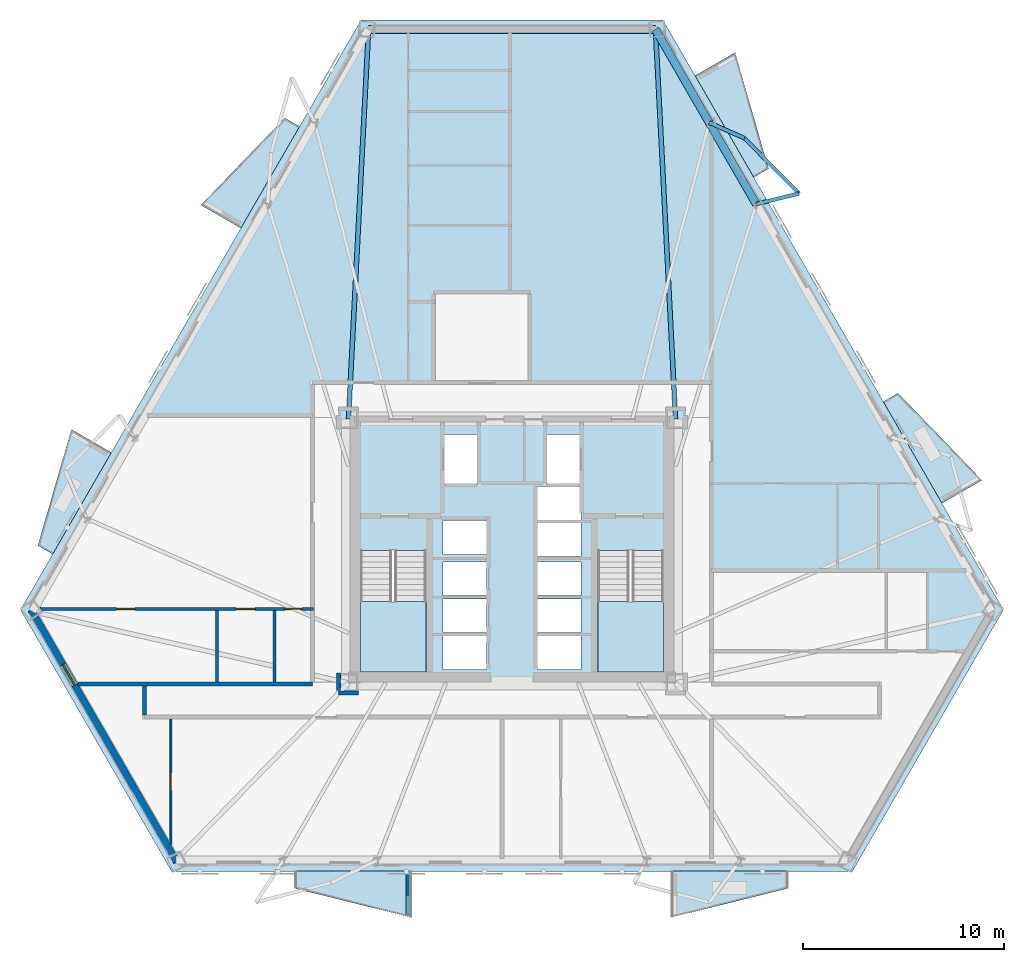
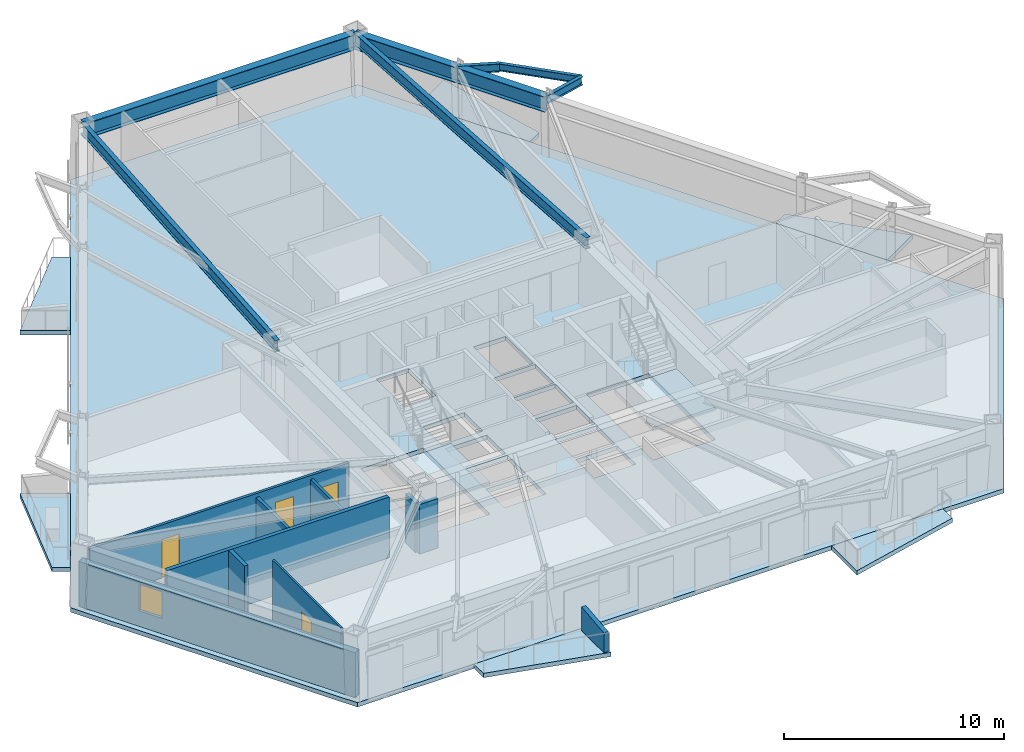
# One storey, part 2 of 10: 10 walls, 9 slabs, 8 beams, 4 doors, 1 window, 5 openings, 2 elements without a shape of their own.
"""IFC4 building model written with IfcOpenShell, lengths in metres."""

from ifc_helpers import new_model, si_unit, direction, frame, frame_2d, origin, origin_2d, place, context, subcontext, project, spatial, polyline, rectangle, i_section, outline, extrude, material, layer, layer_set, material_profile, profile_set, type_object, element, fill, aggregate, save


model = new_model("IFC4")

# Units and contexts
model_context = context("Model", 3, precision=1e-05, world=origin(), true_north=direction((0.0, 1.0)))
body_context = subcontext(model_context, "Body", "Model", "MODEL_VIEW")
ifc_project = project(units=[si_unit("LENGTHUNIT", "METRE"), si_unit("AREAUNIT", "SQUARE_METRE"), si_unit("VOLUMEUNIT", "CUBIC_METRE"), si_unit("PLANEANGLEUNIT", "RADIAN"), si_unit("MASSUNIT", "GRAM", prefix="KILO")], contexts=[model_context])

# Site, building, storey
site_placement = place(None, origin())
site = spatial("IfcSite", under=ifc_project, at=site_placement, CompositionType="ELEMENT")
building_placement = place(site_placement, origin())
building = spatial("IfcBuilding", under=site, at=building_placement, Name="Oramaril Tower", CompositionType="ELEMENT")
storey_placement = place(building_placement, frame((0.0, 0.0, 52.5)))
storey = spatial("IfcBuildingStorey", under=building, at=storey_placement, Name="L13", CompositionType="ELEMENT", Elevation=52.5)

# Beams
ifc_material_1 = material(Name="Steel ASTM A572 Gr 50", Category="steel")
ifc_material_profile_1 = material_profile(ifc_material_1, i_section(OverallWidth=0.19091796875, OverallDepth=0.45703125, WebThickness=0.009033203125, FlangeThickness=0.014404296875, at=origin_2d()), Name="W18X50")
ifc_profile_set_1 = profile_set([ifc_material_profile_1], Name="Steel ASTM A572 Gr 50")
beam_type_1 = type_object("IfcBeamType", Name="BT-BB1", PredefinedType="BEAM", material=ifc_profile_set_1)
beam_1_placement = place(storey_placement, frame((49.673095703125, 34.86328125, 3.131591796875), z_axis=(0.970709325558, 0.240256956767, 0.0), x_axis=(-0.240256956767, 0.970709325558, 0.0)))
element("IfcBeam", 1, at=beam_1_placement, inside=storey, type_object=beam_type_1, Name="L13 Balcony Column-Framed Cantilever 04.1", PredefinedType="BEAM", context=body_context, shape_type="SweptSolid", body=[
    extrude(i_section(OverallWidth=0.19091796875, OverallDepth=0.45703125, WebThickness=0.009033203125, FlangeThickness=0.014404296875, at=origin_2d()), origin(), (0.0, 0.0, 1.0), 2.19384765625),
])
beam_2_placement = place(storey_placement, frame((47.32861328125, 38.924072265625, 3.131591796875), z_axis=(0.913433535966, -0.406987930255, 0.0), x_axis=(0.406987930255, 0.913433535966, 0.0)))
element("IfcBeam", 2, at=beam_2_placement, inside=storey, type_object=beam_type_1, Name="L13 Balcony Column-Framed Cantilever 04.2", PredefinedType="BEAM", context=body_context, shape_type="SweptSolid", body=[
    extrude(i_section(OverallWidth=0.19091796875, OverallDepth=0.45703125, WebThickness=0.009033203125, FlangeThickness=0.014404296875, at=origin_2d()), origin(), (0.0, 0.0, 1.0), 1.919677734375),
])
ifc_material_2 = material(Name="Steel ASTM A572 Gr 50", Category="steel")
ifc_material_profile_2 = material_profile(ifc_material_2, i_section(OverallWidth=0.22900390625, OverallDepth=0.612060546875, WebThickness=0.011962890625, FlangeThickness=0.01953125, at=origin_2d()), Name="W24X84")
ifc_profile_set_2 = profile_set([ifc_material_profile_2], Name="Steel ASTM A572 Gr 50")
beam_type_2 = type_object("IfcBeamType", Name="BT-FB1", PredefinedType="BEAM", material=ifc_profile_set_2)
for number, where, z_axis, x_axis, name in (
    (3, (45.64990234375, 24.14990234375, 3.053955078125), (-0.051487731797, 0.998673627105, 0.0), (-0.998673627105, -0.051487731797, 0.0), "L13 Radial Primary Beam RB-05"),
    (4, (29.35009765625, 24.14990234375, 3.053955078125), (0.051487731797, 0.998673627105, 0.0), (-0.998673627105, 0.051487731797, 0.0), "L13 Radial Primary Beam RB-06"),
):
    element("IfcBeam", number, at=place(storey_placement, frame(where, z_axis=z_axis, x_axis=x_axis)), inside=storey, type_object=beam_type_2, Name=name, PredefinedType="BEAM", context=body_context, shape_type="SweptSolid", body=[
        extrude(i_section(OverallWidth=0.22900390625, OverallDepth=0.612060546875, WebThickness=0.011962890625, FlangeThickness=0.01953125, at=origin_2d()), origin(), (0.0, 0.0, 1.0), 19.441162109375),
    ])
ifc_material_3 = material(Name="Steel ASTM A572 Gr 50", Category="steel")
ifc_material_profile_3 = material_profile(ifc_material_3, i_section(OverallWidth=0.177978515625, OverallDepth=0.404052734375, WebThickness=0.007568359375, FlangeThickness=0.010986328125, at=origin_2d()), Name="W16X36")
ifc_profile_set_3 = profile_set([ifc_material_profile_3], Name="Steel ASTM A572 Gr 50")
beam_type_3 = type_object("IfcBeamType", Name="BT-SB1", PredefinedType="BEAM", material=ifc_profile_set_3)
beam_3_placement = place(storey_placement, frame((51.802734375, 35.390380859375, 3.157958984375), z_axis=(-0.702994511648, 0.71119527318, 0.0), x_axis=(-0.71119527318, -0.702994511648, 0.0)))
element("IfcBeam", 5, at=beam_3_placement, inside=storey, type_object=beam_type_3, Name="L13 Balcony Edge Tie Beam 04", PredefinedType="BEAM", context=body_context, shape_type="SweptSolid", body=[
    extrude(i_section(OverallWidth=0.177978515625, OverallDepth=0.404052734375, WebThickness=0.007568359375, FlangeThickness=0.010986328125, at=origin_2d()), origin(), (0.0, 0.0, 1.0), 3.8701171875),
])
ifc_material_4 = material(Name="Steel ASTM A572 Gr 50", Category="steel")
ifc_material_profile_4 = material_profile(ifc_material_4, i_section(OverallWidth=0.40087890625, OverallDepth=0.85595703125, WebThickness=0.018310546875, FlangeThickness=0.029296875, at=origin_2d()), Name="W33X201")
ifc_profile_set_4 = profile_set([ifc_material_profile_4], Name="Steel ASTM A572 Gr 50")
beam_type_4 = type_object("IfcBeamType", Name="BT-SP1", PredefinedType="SPANDREL", material=ifc_profile_set_4)
beam_4_placement = place(storey_placement, frame((49.673095703125, 34.86328125, 2.931884765625), z_axis=(-0.49999738257, 0.866026914953, 0.0), x_axis=(-0.866026914953, -0.49999738257, 0.0)))
element("IfcBeam", 6, at=beam_4_placement, inside=storey, type_object=beam_type_4, Name="L13 Perimeter Spandrel 11", PredefinedType="SPANDREL", context=body_context, shape_type="SweptSolid", body=[
    extrude(i_section(OverallWidth=0.40087890625, OverallDepth=0.85595703125, WebThickness=0.018310546875, FlangeThickness=0.029296875, at=origin_2d()), origin(), (0.0, 0.0, 1.0), 4.68896484375),
])
beam_5_placement = place(storey_placement, frame((47.32861328125, 38.924072265625, 2.931884765625), z_axis=(-0.500019522183, 0.866014132353, 0.0), x_axis=(-0.866014132353, -0.500019522183, 0.0)))
element("IfcBeam", 7, at=beam_5_placement, inside=storey, type_object=beam_type_4, Name="L13 Perimeter Spandrel 12", PredefinedType="SPANDREL", context=body_context, shape_type="SweptSolid", body=[
    extrude(i_section(OverallWidth=0.40087890625, OverallDepth=0.85595703125, WebThickness=0.018310546875, FlangeThickness=0.029296875, at=origin_2d()), origin(), (0.0, 0.0, 1.0), 5.359130859375),
])
beam_6_placement = place(storey_placement, frame((44.64892578125, 43.565185546875, 2.931884765625), z_axis=(-1.0, 0.0, 0.0), x_axis=(0.0, -1.0, 0.0)))
element("IfcBeam", 8, at=beam_6_placement, inside=storey, type_object=beam_type_4, Name="L13 Perimeter Spandrel 13", PredefinedType="SPANDREL", context=body_context, shape_type="SweptSolid", body=[
    extrude(i_section(OverallWidth=0.40087890625, OverallDepth=0.85595703125, WebThickness=0.018310546875, FlangeThickness=0.029296875, at=origin_2d()), origin(), (0.0, 0.0, 1.0), 14.2978515625),
])

# Slabs
ifc_material_5 = material(Name="Concrete C40/50", Category="concrete")
ifc_layer_1 = layer(ifc_material_5, 0.199951171875)
ifc_layer_set_1 = layer_set([ifc_layer_1], Name="SLT-BAL20")
slab_type_1 = type_object("IfcSlabType", Name="SLT-BAL20", PredefinedType="FLOOR", material=ifc_layer_set_1)
slab_1_placement = place(storey_placement, frame((0.0, 0.0, -0.239990234375)))
element("IfcSlab", 9, at=slab_1_placement, inside=storey, type_object=slab_type_1, Name="L13 Cantilevered Balcony Slab L13-BAL-S1", PredefinedType="FLOOR", context=body_context, shape_type="SweptSolid", body=[
    extrude(outline(polyline([(26.658447265625, 1.61962890625), (32.508544921875, 1.61962890625), (32.508544921875, -0.682373046875), (26.658447265625, 0.767578125), (26.658447265625, 1.61962890625)])), origin(), (0.0, 0.0, 1.0), 0.239990234375),
])
slab_2_placement = place(storey_placement, frame((0.0, 0.0, -0.239990234375)))
element("IfcSlab", 10, at=slab_2_placement, inside=storey, type_object=slab_type_1, Name="L13 Cantilevered Balcony Slab L13-BAL-NE2", PredefinedType="FLOOR", context=body_context, shape_type="SweptSolid", body=[
    extrude(outline(polyline([(49.546142578125, 36.196044921875), (46.62109375, 41.26220703125), (48.61474609375, 42.4130859375), (50.283935546875, 36.6220703125), (49.546142578125, 36.196044921875)])), origin(), (0.0, 0.0, 1.0), 0.239990234375),
])
slab_3_placement = place(storey_placement, frame((0.0, 0.0, -0.239990234375)))
element("IfcSlab", 11, at=slab_3_placement, inside=storey, type_object=slab_type_1, Name="L13 Cantilevered Balcony Slab L13-BAL-NW1", PredefinedType="FLOOR", context=body_context, shape_type="SweptSolid", body=[
    extrude(outline(polyline([(26.916259765625, 38.72900390625), (23.9912109375, 33.662841796875), (21.997802734375, 34.813720703125), (26.178466796875, 39.155029296875), (26.916259765625, 38.72900390625)])), origin(), (0.0, 0.0, 1.0), 0.239990234375),
])
ifc_material_6 = material(Name="Concrete C50/60", Category="concrete")
ifc_layer_2 = layer(ifc_material_6, 0.239990234375)
ifc_layer_set_2 = layer_set([ifc_layer_2], Name="SLT-FLR24")
slab_type_2 = type_object("IfcSlabType", Name="SLT-FLR24", PredefinedType="FLOOR", material=ifc_layer_set_2)
slab_4_placement = place(storey_placement, frame((0.0, 0.0, -0.239990234375)))
element("IfcSlab", 12, at=slab_4_placement, inside=storey, type_object=slab_type_2, Name="L13 Structural Floor Slab", PredefinedType="FLOOR", context=body_context, shape_type="SweptSolid", body=[
    extrude(outline(polyline([(13.010498046875, 14.647705078125), (20.533447265625, 1.61767578125), (54.466552734375, 1.61767578125), (61.989501953125, 14.647705078125), (45.02294921875, 44.034423828125), (29.97705078125, 44.034423828125), (13.010498046875, 14.647705078125)]), holes=[polyline([(29.949951171875, 17.58935546875), (29.949951171875, 11.550048828125), (33.219970703125, 11.550048828125), (33.219970703125, 17.58935546875), (29.949951171875, 17.58935546875)]), polyline([(41.780029296875, 17.58935546875), (41.780029296875, 11.550048828125), (45.050048828125, 11.550048828125), (45.050048828125, 17.58935546875), (41.780029296875, 17.58935546875)]), polyline([(34.110107421875, 20.909912109375), (35.7900390625, 20.909912109375), (35.7900390625, 23.389892578125), (34.110107421875, 23.389892578125), (34.110107421875, 20.909912109375)]), polyline([(39.2099609375, 20.909912109375), (40.889892578125, 20.909912109375), (40.889892578125, 23.389892578125), (39.2099609375, 23.389892578125), (39.2099609375, 20.909912109375)]), polyline([(34.06005859375, 11.659912109375), (36.239990234375, 11.659912109375), (36.239990234375, 13.340087890625), (34.06005859375, 13.340087890625), (34.06005859375, 11.659912109375)]), polyline([(34.06005859375, 13.510009765625), (36.239990234375, 13.510009765625), (36.239990234375, 15.18994140625), (34.06005859375, 15.18994140625), (34.06005859375, 13.510009765625)]), polyline([(34.06005859375, 15.360107421875), (36.239990234375, 15.360107421875), (36.239990234375, 17.0400390625), (34.06005859375, 17.0400390625), (34.06005859375, 15.360107421875)]), polyline([(38.760009765625, 11.659912109375), (40.93994140625, 11.659912109375), (40.93994140625, 13.340087890625), (38.760009765625, 13.340087890625), (38.760009765625, 11.659912109375)]), polyline([(38.760009765625, 13.510009765625), (40.93994140625, 13.510009765625), (40.93994140625, 15.18994140625), (38.760009765625, 15.18994140625), (38.760009765625, 13.510009765625)]), polyline([(38.760009765625, 15.360107421875), (40.93994140625, 15.360107421875), (40.93994140625, 17.0400390625), (38.760009765625, 17.0400390625), (38.760009765625, 15.360107421875)]), polyline([(34.06005859375, 17.409912109375), (36.239990234375, 17.409912109375), (36.239990234375, 19.090087890625), (34.06005859375, 19.090087890625), (34.06005859375, 17.409912109375)]), polyline([(38.760009765625, 17.31005859375), (40.93994140625, 17.31005859375), (40.93994140625, 18.989990234375), (38.760009765625, 18.989990234375), (38.760009765625, 17.31005859375)]), polyline([(38.760009765625, 19.110107421875), (40.93994140625, 19.110107421875), (40.93994140625, 20.7900390625), (38.760009765625, 20.7900390625), (38.760009765625, 19.110107421875)])]), origin(), (0.0, 0.0, 1.0), 0.239990234375),
])

# Stair, slab
ifc_material_7 = material(Name="Concrete C50/60", Category="concrete")
stair_type = type_object("IfcStairType", Name="STT-DG-3600", PredefinedType="HALF_TURN_STAIR", material=ifc_material_7)
stair_1_placement = place(storey_placement, origin())
stair_1 = element("IfcStair", 13, at=stair_1_placement, inside=storey, type_object=stair_type, Name="L13 Protected PFP Exit Stair ST-1", PredefinedType="HALF_TURN_STAIR")
ifc_material_8 = material(Name="Concrete C50/60", Category="concrete")
ifc_layer_3 = layer(ifc_material_8, 0.199951171875)
ifc_layer_set_3 = layer_set([ifc_layer_3], Name="SLT-LND20")
slab_type_3 = type_object("IfcSlabType", Name="SLT-LND20", PredefinedType="LANDING", material=ifc_layer_set_3)
slab_5_placement = place(storey_placement, frame((0.0, 0.0, 1.60009765625)))
slab_5 = element("IfcSlab", 14, at=slab_5_placement, type_object=slab_type_3, Name="ST-1 landing 1", PredefinedType="LANDING", context=body_context, shape_type="SweptSolid", body=[
    extrude(outline(polyline([(29.949951171875, 15.070068359375), (29.949951171875, 11.550048828125), (33.219970703125, 11.550048828125), (33.219970703125, 15.070068359375), (29.949951171875, 15.070068359375)])), origin(), (0.0, 0.0, 1.0), 0.199951171875),
])
aggregate(stair_1, [slab_5])

stair_2_placement = place(storey_placement, origin())
stair_2 = element("IfcStair", 15, at=stair_2_placement, inside=storey, type_object=stair_type, Name="L13 Protected PFP Exit Stair ST-2", PredefinedType="HALF_TURN_STAIR")
slab_6_placement = place(storey_placement, frame((0.0, 0.0, 1.60009765625)))
slab_6 = element("IfcSlab", 16, at=slab_6_placement, type_object=slab_type_3, Name="ST-2 landing 1", PredefinedType="LANDING", context=body_context, shape_type="SweptSolid", body=[
    extrude(outline(polyline([(41.780029296875, 15.070068359375), (41.780029296875, 11.550048828125), (45.050048828125, 11.550048828125), (45.050048828125, 15.070068359375), (41.780029296875, 15.070068359375)])), origin(), (0.0, 0.0, 1.0), 0.199951171875),
])
aggregate(stair_2, [slab_6])

# Slabs
ifc_material_9 = material(Name="Concrete C40/50", Category="concrete")
ifc_layer_4 = layer(ifc_material_9, 0.18994140625)
ifc_layer_set_4 = layer_set([ifc_layer_4], Name="SLT-PLN19")
slab_type_4 = type_object("IfcSlabType", Name="SLT-PLN19", PredefinedType="FLOOR", material=ifc_layer_set_4)
slab_7_placement = place(storey_placement, frame((0.0, 0.0, -0.239990234375)))
element("IfcSlab", 17, at=slab_7_placement, inside=storey, type_object=slab_type_4, Name="L13 Tree Planter Balcony Slab L13-BAL-S2", PredefinedType="FLOOR", context=body_context, shape_type="SweptSolid", body=[
    extrude(outline(polyline([(45.41650390625, 1.61962890625), (51.2666015625, 1.61962890625), (51.2666015625, 0.767578125), (45.41650390625, -0.682373046875), (45.41650390625, 1.61962890625)])), origin(), (0.0, 0.0, 1.0), 0.239990234375),
])
slab_8_placement = place(storey_placement, frame((0.0, 0.0, -0.239990234375)))
element("IfcSlab", 18, at=slab_8_placement, inside=storey, type_object=slab_type_4, Name="L13 Tree Planter Balcony Slab L13-BAL-NE1", PredefinedType="FLOOR", context=body_context, shape_type="SweptSolid", body=[
    extrude(outline(polyline([(58.92529296875, 19.951171875), (56.000244140625, 25.017333984375), (56.738037109375, 25.443359375), (60.918701171875, 21.10205078125), (58.92529296875, 19.951171875)])), origin(), (0.0, 0.0, 1.0), 0.239990234375),
])
slab_9_placement = place(storey_placement, frame((0.0, 0.0, -0.239990234375)))
element("IfcSlab", 19, at=slab_9_placement, inside=storey, type_object=slab_type_4, Name="L13 Tree Planter Balcony Slab L13-BAL-NW2", PredefinedType="FLOOR", context=body_context, shape_type="SweptSolid", body=[
    extrude(outline(polyline([(17.537353515625, 22.484130859375), (14.6123046875, 17.41796875), (13.87451171875, 17.843994140625), (15.543701171875, 23.63525390625), (17.537353515625, 22.484130859375)])), origin(), (0.0, 0.0, 1.0), 0.239990234375),
])

# Wall, opening, window
ifc_material_10 = material(Name="Warm Cream Limestone", Category="masonry")
ifc_layer_5 = layer(ifc_material_10, 0.340087890625)
ifc_layer_set_5 = layer_set([ifc_layer_5], Name="WT-EXT34")
wall_type_1 = type_object("IfcWallType", Name="WT-EXT34", PredefinedType="SOLIDWALL", material=ifc_layer_set_5)
wall_1_placement = place(storey_placement, frame((13.541748046875, 14.647705078125, 0.0), z_axis=(0.0, 0.0, 1.0), x_axis=(0.49999957979, -0.866025646392, 0.0)))
wall_1 = element("IfcWall", 20, at=wall_1_placement, inside=storey, type_object=wall_type_1, Name="L13 Tower Limestone Facade Wall 1M", PredefinedType="SOLIDWALL", context=body_context, shape_type="SweptSolid", body=[
    extrude(rectangle(XDim=14.5146484375, YDim=0.340087890625, at=frame_2d((7.25732421875, 0.0))), origin(), (0.0, 0.0, 1.0), 2.493896484375),
])
opening_1_placement = place(wall_1_placement, frame((3.14990234375, 0.0, 0.85009765625)))
opening_1 = element("IfcOpeningElement", 21, at=opening_1_placement, cuts=wall_1, Name="Opening WN-09", PredefinedType="OPENING", context=body_context, shape_type="SweptSolid", body=[
    extrude(rectangle(XDim=1.199951171875, YDim=1.47998046875, at=frame_2d((0.60009765625, 0.739990234375))), frame((0.0, 0.169921875, 0.0), z_axis=(0.0, -1.0, 0.0), x_axis=(1.0, 0.0, 0.0)), (0.0, 0.0, 1.0), 0.340087890625),
])
ifc_material_11 = material(Name="Coastal Low-E Insulated Glass", Category="glass")
window_type = type_object("IfcWindowType", Name="WNT-09", PartitioningType="SINGLE_PANEL", PredefinedType="WINDOW", material=ifc_material_11)
window_placement = place(opening_1_placement, origin())
window = element("IfcWindow", 22, at=window_placement, inside=storey, type_object=window_type, Name="L13 Apartment Bedroom Window WN-09", OverallHeight=1.47998046875, OverallWidth=1.199951171875, PartitioningType="SINGLE_PANEL", PredefinedType="WINDOW", context=body_context, shape_type="SweptSolid", body=[
    extrude(rectangle(XDim=1.199951171875, YDim=1.47998046875, at=frame_2d((0.60009765625, 0.739990234375))), frame((0.0, 0.030029296875, 0.0), z_axis=(0.0, -1.0, 0.0), x_axis=(1.0, 0.0, 0.0)), (0.0, 0.0, 1.0), 0.06005859375),
])
fill(opening_1, window)

# Wall
ifc_material_12 = material(Name="Concrete C40/50", Category="concrete")
ifc_layer_6 = layer(ifc_material_12, 0.22998046875)
ifc_layer_set_6 = layer_set([ifc_layer_6], Name="WT-PRP23")
wall_type_2 = type_object("IfcWallType", Name="WT-PRP23", PredefinedType="PARAPET", material=ifc_layer_set_6)
wall_2_placement = place(storey_placement, frame((32.32861328125, 1.479736328125, 0.0), z_axis=(0.0, 0.0, 1.0), x_axis=(0.0, -1.0, 0.0)))
element("IfcWall", 23, at=wall_2_placement, inside=storey, type_object=wall_type_2, Name="L13 Trapezoidal Balcony Frame Cheek L13-BAL-S1-R", PredefinedType="PARAPET", context=body_context, shape_type="SweptSolid", body=[
    extrude(outline(polyline([(0.0, 0.0), (2.0419921875, 0.0), (2.0419921875, 1.10009765625), (0.0, 1.320068359375), (0.0, 0.0)])), frame((0.0, 0.114990234375, 0.0), z_axis=(0.0, -1.0, 0.0), x_axis=(1.0, 0.0, 0.0)), (0.0, 0.0, 1.0), 0.22998046875),
])

# Wall, opening, door
ifc_material_13 = material(Name="Acoustic Gypsum Board Partition")
ifc_layer_7 = layer(ifc_material_13, 0.10009765625)
ifc_layer_set_7 = layer_set([ifc_layer_7], Name="WT-PT10")
wall_type_3 = type_object("IfcWallType", Name="WT-PT10", PredefinedType="PARTITIONING", material=ifc_layer_set_7)
wall_3_placement = place(storey_placement, frame((20.5, 2.94384765625, 0.0), z_axis=(0.0, 0.0, 1.0), x_axis=(0.0, 1.0, 0.0)))
wall_3 = element("IfcWall", 24, at=wall_3_placement, inside=storey, type_object=wall_type_3, Name="L13 Interior Partition PT-10", PredefinedType="PARTITIONING", context=body_context, shape_type="SweptSolid", body=[
    extrude(rectangle(XDim=6.252197265625, YDim=0.10009765625, at=frame_2d((3.1259765625, 0.0))), origin(), (0.0, 0.0, 1.0), 3.360107421875),
])
opening_2_placement = place(wall_3_placement, frame((2.708984375, 0.0, 0.0)))
opening_2 = element("IfcOpeningElement", 25, at=opening_2_placement, cuts=wall_3, Name="Opening D-L13-15", PredefinedType="OPENING", context=body_context, shape_type="SweptSolid", body=[
    extrude(rectangle(XDim=0.8798828125, YDim=2.080078125, at=frame_2d((0.43994140625, 1.0400390625))), frame((0.0, 0.050048828125, 0.0), z_axis=(0.0, -1.0, 0.0), x_axis=(1.0, 0.0, 0.0)), (0.0, 0.0, 1.0), 0.10009765625),
])
ifc_material_14 = material(Name="FSC Brazilian Freijo Hardwood", Category="wood")
door_type_1 = type_object("IfcDoorType", Name="DT-BATH", OperationType="NOTDEFINED", PredefinedType="DOOR", material=ifc_material_14)
door_1_placement = place(opening_2_placement, origin())
door_1 = element("IfcDoor", 26, at=door_1_placement, inside=storey, type_object=door_type_1, Name="L13 Flat L13-U1 Bathroom Door D-L13-15", OperationType="SINGLE_SWING_RIGHT", OverallHeight=2.080078125, OverallWidth=0.8798828125, PredefinedType="DOOR", context=body_context, shape_type="SweptSolid", body=[
    extrude(rectangle(XDim=0.8798828125, YDim=2.080078125, at=frame_2d((0.43994140625, 1.0400390625))), frame((0.0, 0.02490234375, 0.0), z_axis=(0.0, -1.0, 0.0), x_axis=(1.0, 0.0, 0.0)), (0.0, 0.0, 1.0), 0.050048828125),
])
fill(opening_2, door_1)

# Wall, openings, doors
ifc_material_15 = material(Name="Acoustic Gypsum Board Partition")
ifc_layer_8 = layer(ifc_material_15, 0.139892578125)
ifc_layer_set_8 = layer_set([ifc_layer_8], Name="WT-PT14")
wall_type_4 = type_object("IfcWallType", Name="WT-PT14", PredefinedType="PARTITIONING", material=ifc_layer_set_8)
wall_4_placement = place(storey_placement, frame((13.988037109375, 14.68994140625, 0.0), z_axis=(0.0, 0.0, 1.0), x_axis=(1.0, 0.0, 0.0)))
wall_4 = element("IfcWall", 27, at=wall_4_placement, inside=storey, type_object=wall_type_4, Name="L13 Interior Partition PT-14", PredefinedType="PARTITIONING", context=body_context, shape_type="SweptSolid", body=[
    extrude(rectangle(XDim=13.612060546875, YDim=0.139892578125, at=frame_2d((6.80615234375, 0.0))), origin(), (0.0, 0.0, 1.0), 2.946044921875),
])
opening_3_placement = place(wall_4_placement, frame((3.805908203125, 0.0, 0.0)))
opening_3 = element("IfcOpeningElement", 28, at=opening_3_placement, cuts=wall_4, Name="Opening D-L13-07", PredefinedType="OPENING", context=body_context, shape_type="SweptSolid", body=[
    extrude(rectangle(XDim=0.919921875, YDim=2.1201171875, at=frame_2d((0.4599609375, 1.06005859375))), frame((0.0, 0.06982421875, 0.0), z_axis=(0.0, -1.0, 0.0), x_axis=(1.0, 0.0, 0.0)), (0.0, 0.0, 1.0), 0.139892578125),
])
opening_4_placement = place(wall_4_placement, frame((9.76513671875, 0.0, 0.0)))
opening_4 = element("IfcOpeningElement", 29, at=opening_4_placement, cuts=wall_4, Name="Opening D-L13-08", PredefinedType="OPENING", context=body_context, shape_type="SweptSolid", body=[
    extrude(rectangle(XDim=0.949951171875, YDim=2.10009765625, at=frame_2d((0.47509765625, 1.050048828125))), frame((0.0, 0.06982421875, 0.0), z_axis=(0.0, -1.0, 0.0), x_axis=(1.0, 0.0, 0.0)), (0.0, 0.0, 1.0), 0.139892578125),
])
opening_5_placement = place(wall_4_placement, frame((12.19189453125, 0.0, 0.0)))
opening_5 = element("IfcOpeningElement", 30, at=opening_5_placement, cuts=wall_4, Name="Opening D-L13-09", PredefinedType="OPENING", context=body_context, shape_type="SweptSolid", body=[
    extrude(rectangle(XDim=0.8798828125, YDim=2.080078125, at=frame_2d((0.43994140625, 1.0400390625))), frame((0.0, 0.06982421875, 0.0), z_axis=(0.0, -1.0, 0.0), x_axis=(1.0, 0.0, 0.0)), (0.0, 0.0, 1.0), 0.139892578125),
])
door_2_placement = place(opening_5_placement, origin())
door_2 = element("IfcDoor", 31, at=door_2_placement, inside=storey, type_object=door_type_1, Name="L13 Flat L13-U3 Bathroom Door D-L13-09", OperationType="SINGLE_SWING_RIGHT", OverallHeight=2.080078125, OverallWidth=0.8798828125, PredefinedType="DOOR", context=body_context, shape_type="SweptSolid", body=[
    extrude(rectangle(XDim=0.8798828125, YDim=2.080078125, at=frame_2d((0.43994140625, 1.0400390625))), frame((0.0, 0.02490234375, 0.0), z_axis=(0.0, -1.0, 0.0), x_axis=(1.0, 0.0, 0.0)), (0.0, 0.0, 1.0), 0.050048828125),
])
fill(opening_5, door_2)
ifc_material_16 = material(Name="FSC Brazilian Freijo Hardwood", Category="wood")
door_type_2 = type_object("IfcDoorType", Name="DT-BED", OperationType="NOTDEFINED", PredefinedType="DOOR", material=ifc_material_16)
door_3_placement = place(opening_3_placement, origin())
door_3 = element("IfcDoor", 32, at=door_3_placement, inside=storey, type_object=door_type_2, Name="L13 Flat L13-U3 Master Bedroom Door D-L13-07", OperationType="SINGLE_SWING_RIGHT", OverallHeight=2.1201171875, OverallWidth=0.919921875, PredefinedType="DOOR", context=body_context, shape_type="SweptSolid", body=[
    extrude(rectangle(XDim=0.919921875, YDim=2.1201171875, at=frame_2d((0.4599609375, 1.06005859375))), frame((0.0, 0.02490234375, 0.0), z_axis=(0.0, -1.0, 0.0), x_axis=(1.0, 0.0, 0.0)), (0.0, 0.0, 1.0), 0.050048828125),
])
fill(opening_3, door_3)
ifc_material_17 = material(Name="FSC Brazilian Freijo Hardwood", Category="wood")
door_type_3 = type_object("IfcDoorType", Name="DT-STDY", OperationType="NOTDEFINED", PredefinedType="DOOR", material=ifc_material_17)
door_4_placement = place(opening_4_placement, origin())
door_4 = element("IfcDoor", 33, at=door_4_placement, inside=storey, type_object=door_type_3, Name="L13 Flat L13-U3 Kitchen Door D-L13-08", OperationType="SINGLE_SWING_LEFT", OverallHeight=2.10009765625, OverallWidth=0.949951171875, PredefinedType="DOOR", context=body_context, shape_type="SweptSolid", body=[
    extrude(rectangle(XDim=0.949951171875, YDim=2.10009765625, at=frame_2d((0.47509765625, 1.050048828125))), frame((0.0, 0.02490234375, 0.0), z_axis=(0.0, -1.0, 0.0), x_axis=(1.0, 0.0, 0.0)), (0.0, 0.0, 1.0), 0.050048828125),
])
fill(opening_4, door_4)

# Walls
wall_5_placement = place(storey_placement, frame((25.659912109375, 11.053955078125, 0.0), z_axis=(0.0, 0.0, 1.0), x_axis=(0.0, 1.0, 0.0)))
element("IfcWall", 34, at=wall_5_placement, inside=storey, type_object=wall_type_4, Name="L13 Interior Partition PT-14", PredefinedType="PARTITIONING", context=body_context, shape_type="SweptSolid", body=[
    extrude(rectangle(XDim=3.56201171875, YDim=0.139892578125, at=frame_2d((1.781005859375, 0.0))), origin(), (0.0, 0.0, 1.0), 2.738037109375),
])
ifc_material_18 = material(Name="Acoustic Gypsum Board Partition")
ifc_layer_9 = layer(ifc_material_18, 0.159912109375)
ifc_layer_set_9 = layer_set([ifc_layer_9], Name="WT-PT16")
wall_type_5 = type_object("IfcWallType", Name="WT-PT16", PredefinedType="PARTITIONING", material=ifc_layer_set_9)
wall_6_placement = place(storey_placement, frame((22.800048828125, 11.053955078125, 0.0), z_axis=(0.0, 0.0, 1.0), x_axis=(0.0, 1.0, 0.0)))
element("IfcWall", 35, at=wall_6_placement, inside=storey, type_object=wall_type_5, Name="L13 Interior Partition PT-16", PredefinedType="PARTITIONING", context=body_context, shape_type="SweptSolid", body=[
    extrude(rectangle(XDim=3.56201171875, YDim=0.159912109375, at=frame_2d((1.781005859375, 0.0))), origin(), (0.0, 0.0, 1.0), 2.738037109375),
])
ifc_material_19 = material(Name="Autoclaved Cellular Concrete Block", Category="concrete")
ifc_layer_10 = layer(ifc_material_19, 0.199951171875)
ifc_layer_set_10 = layer_set([ifc_layer_10], Name="WT-PT20")
wall_type_6 = type_object("IfcWallType", Name="WT-PT20", PredefinedType="PARTITIONING", material=ifc_layer_set_10)
wall_7_placement = place(storey_placement, frame((28.860107421875, 10.510009765625, 0.0), z_axis=(0.0, 0.0, 1.0), x_axis=(1.0, 0.0, 0.0)))
element("IfcWall", 36, at=wall_7_placement, inside=storey, type_object=wall_type_6, Name="L13 Interior Partition PT-20", PredefinedType="PARTITIONING", context=body_context, shape_type="SweptSolid", body=[
    extrude(rectangle(XDim=0.97998046875, YDim=0.199951171875, at=frame_2d((0.489990234375, 0.0))), origin(), (0.0, 0.0, 1.0), 2.738037109375),
])
wall_8_placement = place(storey_placement, frame((15.877685546875, 10.949951171875, 0.0), z_axis=(0.0, 0.0, 1.0), x_axis=(1.0, 0.0, 0.0)))
element("IfcWall", 37, at=wall_8_placement, inside=storey, type_object=wall_type_6, Name="L13 Interior Partition PT-20", PredefinedType="PARTITIONING", context=body_context, shape_type="SweptSolid", body=[
    extrude(rectangle(XDim=11.67236328125, YDim=0.199951171875, at=frame_2d((5.836181640625, 0.0))), origin(), (0.0, 0.0, 1.0), 3.360107421875),
])
wall_9_placement = place(storey_placement, frame((19.199951171875, 9.404052734375, 0.0), z_axis=(0.0, 0.0, 1.0), x_axis=(0.0, 1.0, 0.0)))
element("IfcWall", 38, at=wall_9_placement, inside=storey, type_object=wall_type_6, Name="L13 Interior Partition PT-20", PredefinedType="PARTITIONING", context=body_context, shape_type="SweptSolid", body=[
    extrude(rectangle(XDim=1.44189453125, YDim=0.199951171875, at=frame_2d((0.720947265625, 0.0))), origin(), (0.0, 0.0, 1.0), 3.360107421875),
])
wall_10_placement = place(storey_placement, frame((28.860107421875, 10.614013671875, 0.0), z_axis=(0.0, 0.0, 1.0), x_axis=(0.0, 1.0, 0.0)))
element("IfcWall", 39, at=wall_10_placement, inside=storey, type_object=wall_type_6, Name="L13 Interior Partition PT-20", PredefinedType="PARTITIONING", context=body_context, shape_type="SweptSolid", body=[
    extrude(rectangle(XDim=0.881103515625, YDim=0.199951171875, at=frame_2d((0.4404296875, 0.0))), origin(), (0.0, 0.0, 1.0), 2.738037109375),
])

save(model, "model.ifc")
